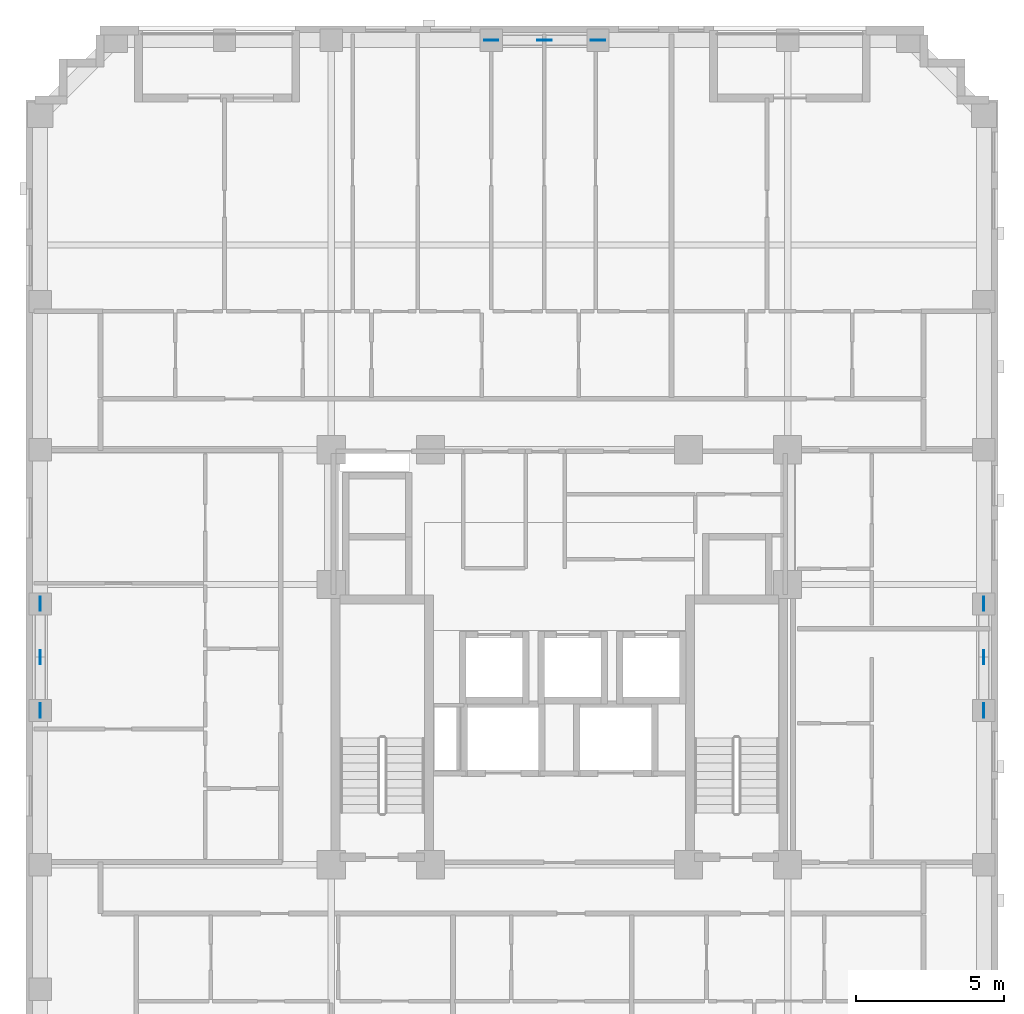
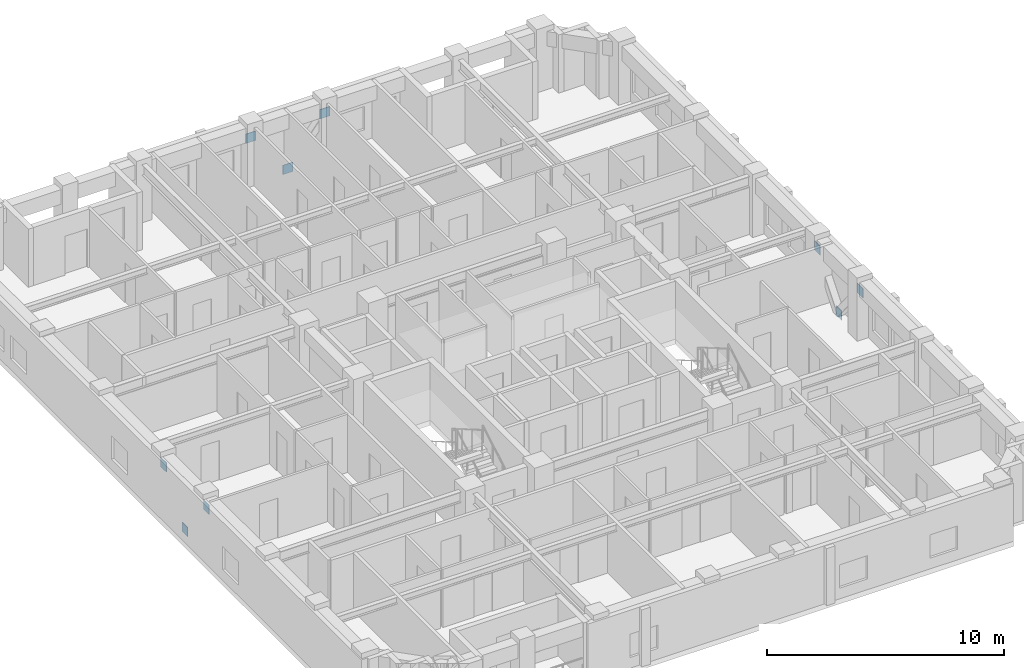
# One storey, part 9 of 11: 9 discrete accessories.
"""IFC4 building model written with IfcOpenShell, lengths in metres."""

from ifc_helpers import new_model, si_unit, derived_unit, direction, frame, origin, origin_2d, place, context, subcontext, project, spatial, rectangle, extrude, material, layer, layer_set, type_object, element, save


model = new_model("IFC4")

# Units and contexts
model_context = context("Model", 3, precision=1e-05, world=origin(), true_north=direction((0.0, 1.0)))
body_context = subcontext(model_context, "Body", "Model", "MODEL_VIEW")
ifc_project = project(units=[si_unit("LENGTHUNIT", "METRE"), si_unit("AREAUNIT", "SQUARE_METRE"), si_unit("VOLUMEUNIT", "CUBIC_METRE"), si_unit("PLANEANGLEUNIT", "RADIAN"), si_unit("MASSUNIT", "GRAM", prefix="KILO"), derived_unit("THERMALTRANSMITTANCEUNIT", [(si_unit("MASSUNIT", "GRAM", prefix="KILO"), 1), (si_unit("TIMEUNIT", "SECOND"), -3), (si_unit("THERMODYNAMICTEMPERATUREUNIT", "KELVIN"), -1)])], contexts=[model_context])

# Site, building, storey
site_placement = place(None, origin())
site = spatial("IfcSite", under=ifc_project, at=site_placement, CompositionType="ELEMENT")
building_placement = place(site_placement, origin())
building = spatial("IfcBuilding", under=site, at=building_placement, Name="Korrvale Station Residences", CompositionType="ELEMENT")
storey_placement = place(building_placement, frame((0.0, 0.0, 137.39990234375)))
storey = spatial("IfcBuildingStorey", under=building, at=storey_placement, Name="L39", CompositionType="ELEMENT", Elevation=137.39990234375)

# Discrete accessories
ifc_material = material(Name="Steel S355", Category="steel")
ifc_layer = layer(ifc_material, 0.02490234375, Name="Steel S355")
ifc_layer_set = layer_set([ifc_layer], Name="Steel S355")
discrete_accessory_type = type_object("IfcDiscreteAccessoryType", Name="ACC-GUSSET-25", PredefinedType="BRACKET", material=ifc_layer_set)
for number, where, z_axis, x_axis, name in (
    (1, (25.0, 42.820068359375, -0.219970703125), (0.0, 0.0, 1.0), (1.0, 0.0, 0.0), "L39 N Brace End Gusset Connection M"),
    (2, (23.199951171875, 42.820068359375, 2.02001953125), (0.0, 0.0, 1.0), (1.0, 0.0, 0.0), "L39 N Brace End Gusset Connection A"),
    (3, (26.800048828125, 42.820068359375, 2.02001953125), (0.0, 0.0, 1.0), (1.0, 0.0, 0.0), "L39 N Brace End Gusset Connection B"),
    (4, (7.97998046875, 22.0, -0.219970703125), (0.0, 0.0, 1.0), (0.0, 1.0, 0.0), "L39 W Brace End Gusset Connection M"),
    (5, (7.97998046875, 20.199951171875, 2.02001953125), (0.0, 0.0, 1.0), (0.0, 1.0, 0.0), "L39 W Brace End Gusset Connection A"),
    (6, (7.97998046875, 23.800048828125, 2.02001953125), (0.0, 0.0, 1.0), (0.0, 1.0, 0.0), "L39 W Brace End Gusset Connection B"),
    (7, (39.820068359375, 22.0, -0.219970703125), (0.0, 0.0, 1.0), (0.0, 1.0, 0.0), "L39 E Brace End Gusset Connection M"),
    (8, (39.820068359375, 20.199951171875, 2.02001953125), (0.0, 0.0, 1.0), (0.0, 1.0, 0.0), "L39 E Brace End Gusset Connection A"),
    (9, (39.820068359375, 23.800048828125, 2.02001953125), (0.0, 0.0, 1.0), (0.0, 1.0, 0.0), "L39 E Brace End Gusset Connection B"),
):
    element("IfcDiscreteAccessory", number, at=place(storey_placement, frame(where, z_axis=z_axis, x_axis=x_axis)), inside=storey, type_object=discrete_accessory_type, Name=name, PredefinedType="BRACKET", context=body_context, shape_type="SweptSolid", body=[
        extrude(rectangle(XDim=0.47998046875, YDim=0.02490234375, at=origin_2d()), origin(), (0.0, 0.0, 1.0), 0.47998046875),
    ])

save(model, "model.ifc")
